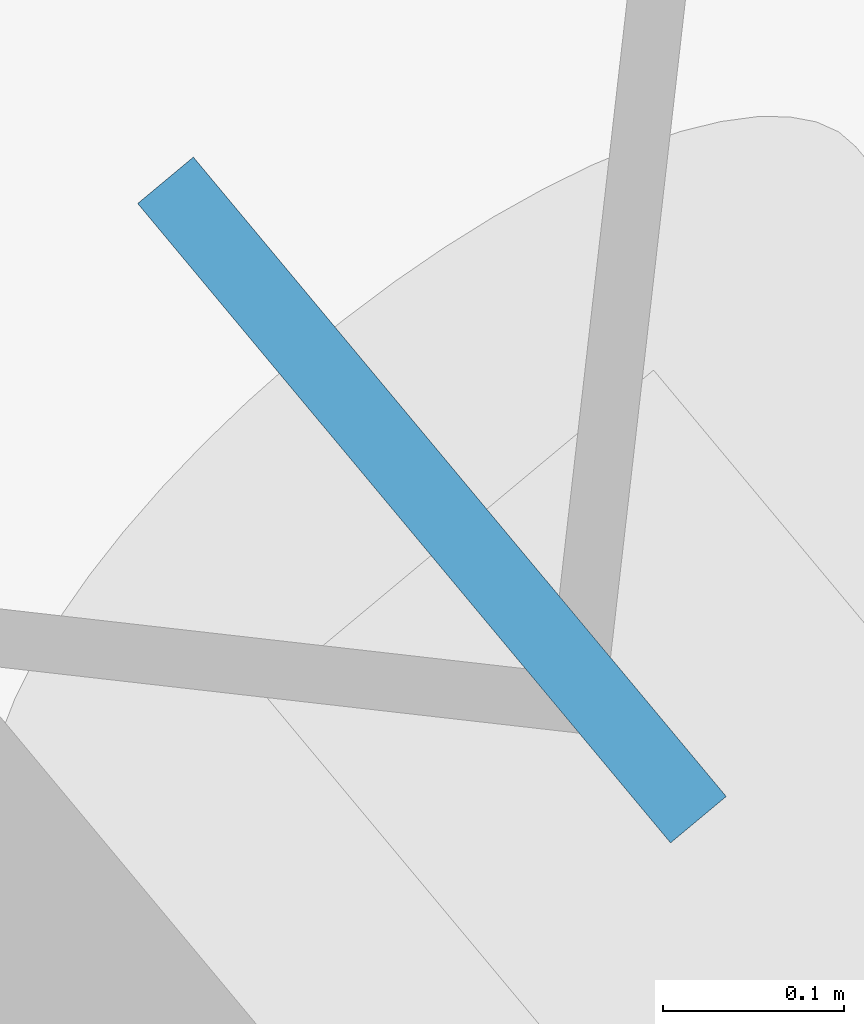
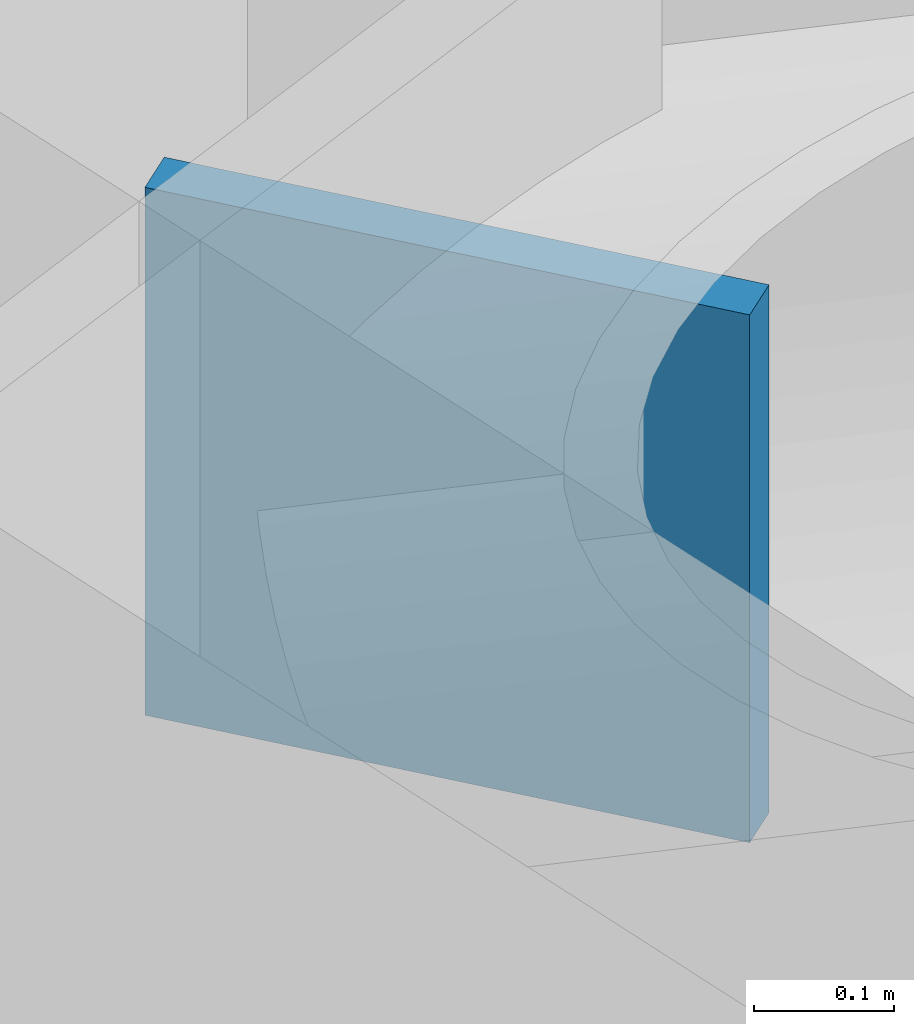
# One storey, part 21 of 22: 1 discrete accessory.
"""IFC4 building model written with IfcOpenShell, lengths in metres."""

from ifc_helpers import new_model, si_unit, direction, frame, origin, origin_2d, place, context, subcontext, project, spatial, rectangle, extrude, material, type_object, element, save


model = new_model("IFC4")

# Units and contexts
model_context = context("Model", 3, precision=1e-05, world=origin(), true_north=direction((0.0, 1.0)))
body_context = subcontext(model_context, "Body", "Model", "MODEL_VIEW")
ifc_project = project(units=[si_unit("LENGTHUNIT", "METRE"), si_unit("AREAUNIT", "SQUARE_METRE"), si_unit("VOLUMEUNIT", "CUBIC_METRE"), si_unit("PLANEANGLEUNIT", "RADIAN"), si_unit("MASSUNIT", "GRAM", prefix="KILO")], contexts=[model_context])

# Site, building, storey
site_placement = place(None, origin())
site = spatial("IfcSite", under=ifc_project, at=site_placement, CompositionType="ELEMENT")
building_placement = place(site_placement, origin())
building = spatial("IfcBuilding", under=site, at=building_placement, Name="Tavrogorsk Clinical Tower", CompositionType="ELEMENT")
storey_placement = place(building_placement, frame((0.0, 0.0, 117.39990234375)))
storey = spatial("IfcBuildingStorey", under=building, at=storey_placement, Name="L26", CompositionType="ELEMENT", Elevation=117.39990234375)

# Discrete accessory
ifc_material = material(Name="Structural steel S440", Category="steel")
discrete_accessory_type = type_object("IfcDiscreteAccessoryType", Name="GussetPlateBracket_25", PredefinedType="BRACKET", material=ifc_material)
discrete_accessory_placement = place(storey_placement, frame((37.2109375, 18.06640625, 0.197021484375), z_axis=(0.0, 0.0, 1.0), x_axis=(0.640243780506, -0.768171791674, 0.0)))
element("IfcDiscreteAccessory", 1, at=discrete_accessory_placement, inside=storey, type_object=discrete_accessory_type, Name="L26 Brace Gusset Plate EXOCRN-L26-2-A", PredefinedType="BRACKET", context=body_context, shape_type="SweptSolid", body=[
    extrude(rectangle(XDim=0.4599609375, YDim=0.0400390625, at=origin_2d()), origin(), (0.0, 0.0, 1.0), 0.4599609375),
])

save(model, "model.ifc")
